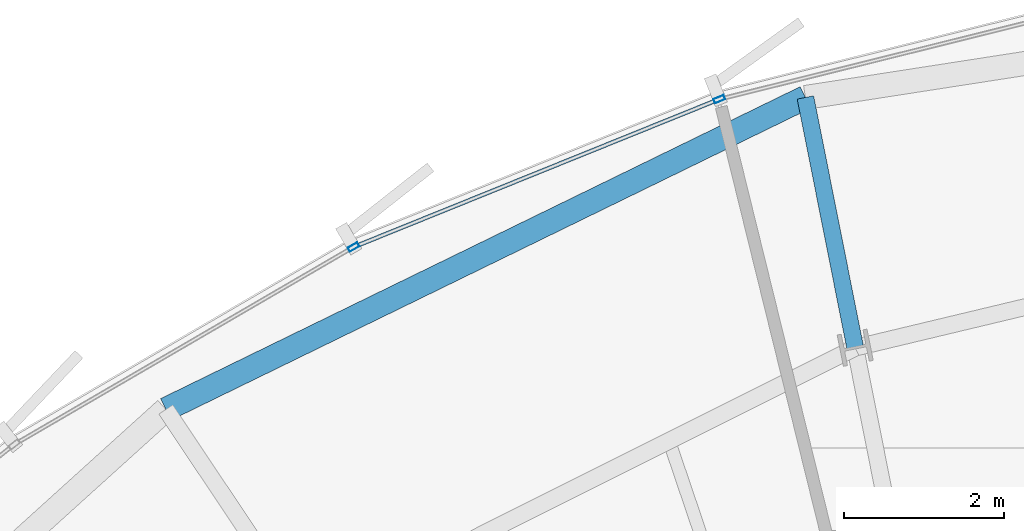
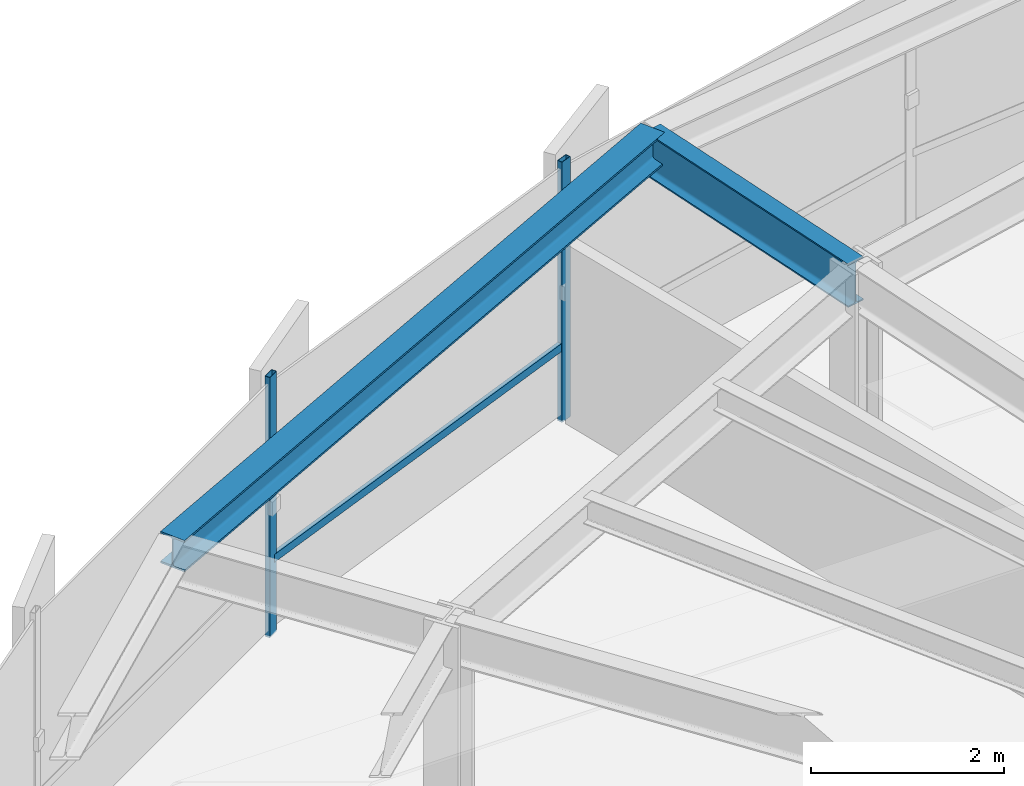
# One storey, part 22 of 35: 3 members, 2 beams, 1 element without a shape of its own.
"""IFC4 building model written with IfcOpenShell, lengths in metres."""

from ifc_helpers import new_model, si_unit, direction, frame, origin, origin_2d, place, context, subcontext, project, spatial, hollow_rectangle, i_section, extrude, source, transform, mapped, material, layer, layer_set, material_profile, profile_set, type_object, element, aggregate, save


model = new_model("IFC4")

# Units and contexts
model_context = context("Model", 3, precision=1e-05, world=origin(), true_north=direction((0.0, 1.0)))
body_context = subcontext(model_context, "Body", "Model", "MODEL_VIEW")
ifc_project = project(units=[si_unit("LENGTHUNIT", "METRE"), si_unit("AREAUNIT", "SQUARE_METRE"), si_unit("VOLUMEUNIT", "CUBIC_METRE"), si_unit("PLANEANGLEUNIT", "RADIAN"), si_unit("MASSUNIT", "GRAM", prefix="KILO"), si_unit("THERMODYNAMICTEMPERATUREUNIT", "KELVIN")], contexts=[model_context])

# Site, building, storey
site_placement = place(None, origin())
site = spatial("IfcSite", under=ifc_project, at=site_placement, CompositionType="ELEMENT")
building_placement = place(site_placement, origin())
building = spatial("IfcBuilding", under=site, at=building_placement, Name="Kethvar Cultural Tower", CompositionType="ELEMENT")
storey_placement = place(building_placement, frame((0.0, 0.0, 139.449951171875)))
storey = spatial("IfcBuildingStorey", under=building, at=storey_placement, Name="L35", CompositionType="ELEMENT", Elevation=139.449951171875)

# Beams
ifc_material_1 = material(Name="Steel S355J2", Category="steel")
ifc_material_profile_1 = material_profile(ifc_material_1, i_section(OverallWidth=0.2099609375, OverallDepth=0.550048828125, WebThickness=0.010986328125, FlangeThickness=0.01708984375, FilletRadius=0.02392578125, at=origin_2d()), Name="Steel S355J2 — IPE550")
ifc_profile_set_1 = profile_set([ifc_material_profile_1], Name="Steel S355J2 — IPE550")
beam_type_1 = type_object("IfcBeamType", Name="BM-IPE550", PredefinedType="BEAM", material=ifc_profile_set_1)
shared_shape_1 = source(origin(), body_context, "Body", "SweptSolid", [
    extrude(i_section(OverallWidth=0.2099609375, OverallDepth=0.550048828125, WebThickness=0.010986328125, FlangeThickness=0.01708984375, FilletRadius=0.02392578125, at=origin_2d()), origin(), (0.0, 0.0, 1.0), 3.197509765625),
])
beam_1_placement = place(storey_placement, frame((42.9189453125, 47.311279296875, 3.02294921875), z_axis=(-0.195088165617, 0.980785709335, 0.0), x_axis=(-0.980785709335, -0.195088165617, 0.0)))
element("IfcBeam", 1, at=beam_1_placement, inside=storey, type_object=beam_type_1, Name="L35 Perimeter Cantilever Beam RC-05", PredefinedType="BEAM", context=body_context, shape_type="MappedRepresentation", body=[
    mapped(shared_shape_1, transform((0.0, 0.0, 0.0), scale=1.0)),
])
ifc_material_profile_2 = material_profile(ifc_material_1, i_section(OverallWidth=0.300048828125, OverallDepth=0.39990234375, WebThickness=0.013427734375, FlangeThickness=0.02392578125, FilletRadius=0.027099609375, at=origin_2d()), Name="Steel S355J2 — HEB400")
ifc_profile_set_2 = profile_set([ifc_material_profile_2], Name="Steel S355J2 — HEB400")
beam_type_2 = type_object("IfcBeamType", Name="BM-SP400", PredefinedType="SPANDREL", material=ifc_profile_set_2)
shared_shape_2 = source(origin(), body_context, "Body", "SweptSolid", [
    extrude(i_section(OverallWidth=0.300048828125, OverallDepth=0.39990234375, WebThickness=0.013427734375, FlangeThickness=0.02392578125, FilletRadius=0.027099609375, at=origin_2d()), origin(), (0.0, 0.0, 1.0), 8.91796875),
])
beam_2_placement = place(storey_placement, frame((42.295166015625, 50.447265625, 3.09814453125), z_axis=(-0.898802121114, -0.438354590578, 0.0), x_axis=(0.438354590578, -0.898802121114, 0.0)))
element("IfcBeam", 2, at=beam_2_placement, inside=storey, type_object=beam_type_2, Name="L35 Perimeter Spandrel Beam SP-05", PredefinedType="SPANDREL", context=body_context, shape_type="MappedRepresentation", body=[
    mapped(shared_shape_2, transform((0.0, 0.0, 0.0), scale=1.0)),
])

# Curtain wall, members
ifc_material_2 = material(Name="Aluminium 6063-T6", Category="aluminium")
ifc_layer = layer(ifc_material_2, 0.179931640625, Name="Aluminium 6063-T6", Category="aluminium")
ifc_layer_set = layer_set([ifc_layer], Name="Aluminium 6063-T6 (180 mm)")
curtain_wall_type = type_object("IfcCurtainWallType", Name="CW-SYS-04-Z34", PredefinedType="NOTDEFINED", material=ifc_layer_set)
curtain_wall_placement = place(storey_placement, origin())
curtain_wall = element("IfcCurtainWall", 3, at=curtain_wall_placement, inside=storey, type_object=curtain_wall_type, Name="L35 Curtain Wall Run 02", PredefinedType="NOTDEFINED")
ifc_material_profile_3 = material_profile(ifc_material_2, hollow_rectangle(XDim=0.06005859375, YDim=0.139892578125, WallThickness=0.0048828125, at=origin_2d()), Name="Aluminium 6063-T6 — RHS140x60x5")
ifc_profile_set_3 = profile_set([ifc_material_profile_3], Name="Aluminium 6063-T6 — RHS140x60x5")
member_type_1 = type_object("IfcMemberType", Name="CW-SYS-04-Z34-MUL", PredefinedType="MULLION", material=ifc_profile_set_3)
shared_shape_3 = source(origin(), body_context, "Body", "SweptSolid", [
    extrude(hollow_rectangle(XDim=0.06005859375, YDim=0.139892578125, WallThickness=0.0048828125, at=origin_2d()), origin(), (0.0, 0.0, 1.0), 3.300048828125),
])
member_1_placement = place(storey_placement, frame((41.21630859375, 50.42578125, 0.0), z_axis=(0.0, 0.0, 1.0), x_axis=(0.374897858324, -0.927066122682, 0.0)))
member_1 = element("IfcMember", 4, at=member_1_placement, type_object=member_type_1, Name="CW-L35-R02 Mullion 3", PredefinedType="MULLION", context=body_context, shape_type="MappedRepresentation", body=[
    mapped(shared_shape_3, transform((0.0, 0.0, 0.0), scale=1.0)),
])
member_2_placement = place(storey_placement, frame((36.632080078125, 48.5732421875, 0.0), z_axis=(0.0, 0.0, 1.0), x_axis=(0.503065199263, -0.864248462706, 0.0)))
member_2 = element("IfcMember", 5, at=member_2_placement, type_object=member_type_1, Name="CW-L35-R02 Mullion 4", PredefinedType="MULLION", context=body_context, shape_type="MappedRepresentation", body=[
    mapped(shared_shape_3, transform((0.0, 0.0, 0.0), scale=1.0)),
])
ifc_material_profile_4 = material_profile(ifc_material_2, hollow_rectangle(XDim=0.050048828125, YDim=0.10009765625, WallThickness=0.00390625, at=origin_2d()), Name="Aluminium 6063-T6 — RHS100x50x4")
ifc_profile_set_4 = profile_set([ifc_material_profile_4], Name="Aluminium 6063-T6 — RHS100x50x4")
member_type_2 = type_object("IfcMemberType", Name="CW-SYS-04-Z34-TRN", PredefinedType="USERDEFINED", material=ifc_profile_set_4)
shared_shape_4 = source(origin(), body_context, "Body", "SweptSolid", [
    extrude(hollow_rectangle(XDim=0.050048828125, YDim=0.10009765625, WallThickness=0.00390625, at=origin_2d()), origin(), (0.0, 0.0, 1.0), 4.873779296875),
])
member_3_placement = place(storey_placement, frame((41.17626953125, 50.40966796875, 0.949951171875), z_axis=(-0.927067471092, -0.374894523891, 0.0), x_axis=(0.374894523891, -0.927067471092, 0.0)))
member_3 = element("IfcMember", 6, at=member_3_placement, type_object=member_type_2, Name="CW-L35-R02 Transom 3", ObjectType="TRANSOM", PredefinedType="USERDEFINED", context=body_context, shape_type="MappedRepresentation", body=[
    mapped(shared_shape_4, transform((0.0, 0.0, 0.0), scale=1.0)),
])
aggregate(curtain_wall, [member_1, member_2, member_3])

save(model, "model.ifc")
